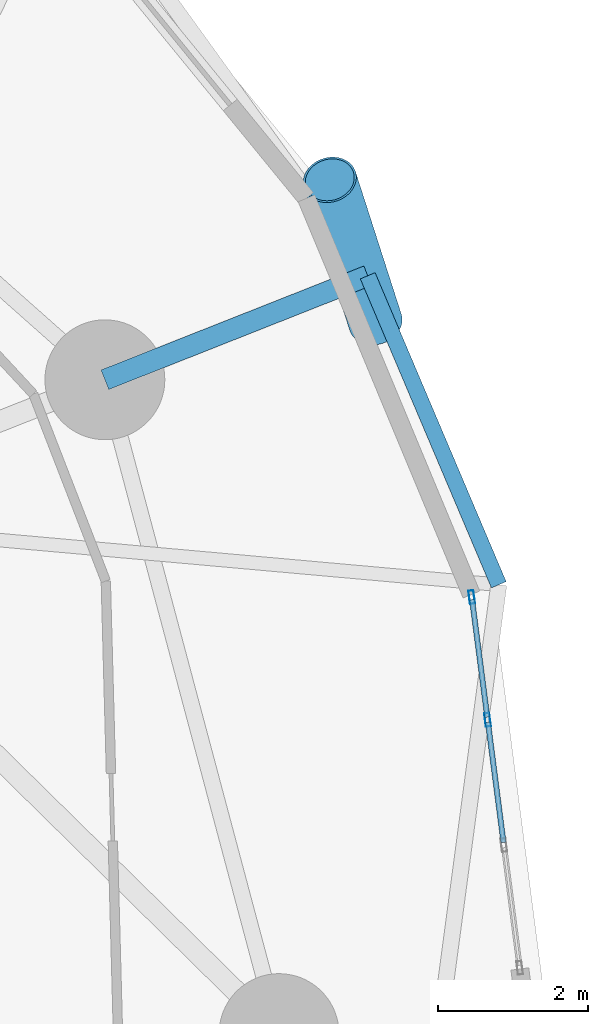
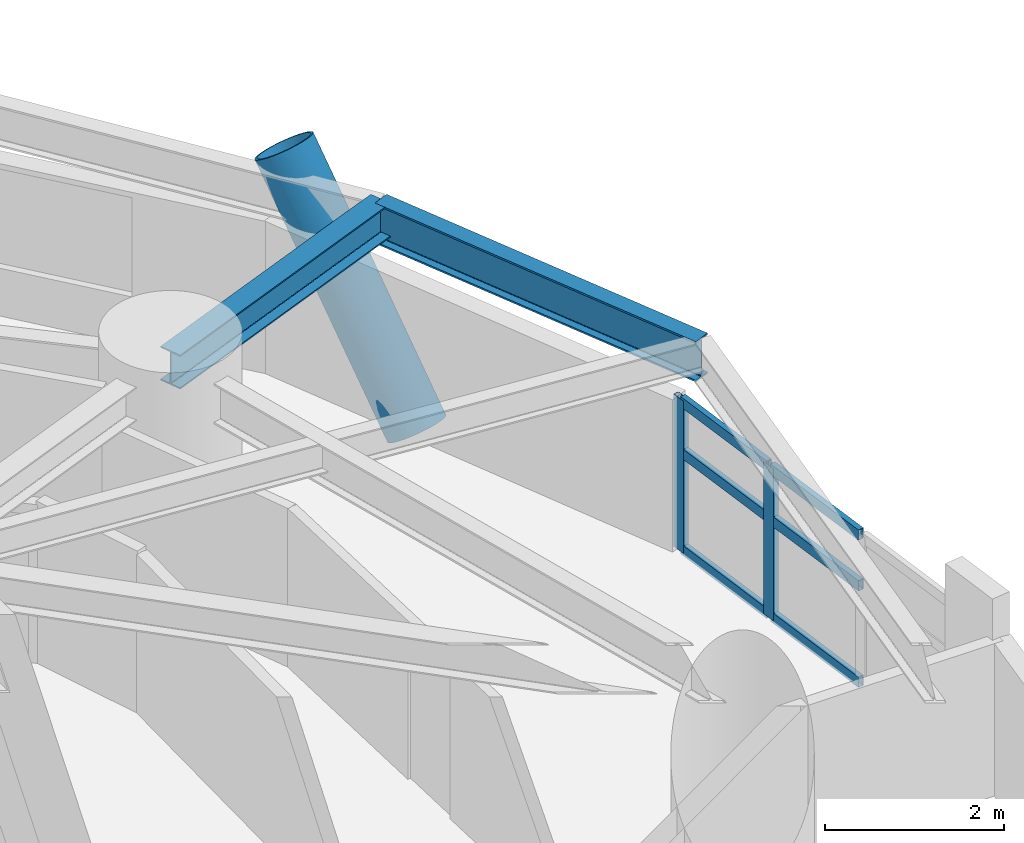
# One storey, part 4 of 18: 9 members, 2 beams, 1 element without a shape of its own.
"""IFC4 building model written with IfcOpenShell, lengths in metres."""

from ifc_helpers import new_model, si_unit, direction, frame, origin, origin_2d, place, context, subcontext, project, spatial, hollow_rectangle, hollow_circle, i_section, extrude, material, layer, layer_set, material_profile, profile_set, type_object, element, aggregate, save


model = new_model("IFC4")

# Units and contexts
model_context = context("Model", 3, precision=1e-05, world=origin(), true_north=direction((0.0, 1.0)))
body_context = subcontext(model_context, "Body", "Model", "MODEL_VIEW")
ifc_project = project(units=[si_unit("LENGTHUNIT", "METRE"), si_unit("AREAUNIT", "SQUARE_METRE"), si_unit("VOLUMEUNIT", "CUBIC_METRE"), si_unit("PLANEANGLEUNIT", "RADIAN"), si_unit("MASSUNIT", "GRAM", prefix="KILO")], contexts=[model_context])

# Site, building, storey
site_placement = place(None, origin())
site = spatial("IfcSite", under=ifc_project, at=site_placement, CompositionType="ELEMENT")
building_placement = place(site_placement, origin())
building = spatial("IfcBuilding", under=site, at=building_placement, Name="Cununo Teusaquillo Station Towers", CompositionType="ELEMENT")
storey_placement = place(building_placement, frame((0.0, 0.0, 45.280029296875)))
storey = spatial("IfcBuildingStorey", under=building, at=storey_placement, Name="L13", CompositionType="ELEMENT", Elevation=45.280029296875)

# Beams
ifc_material_1 = material(Name="Steel ASTM A572 Grade 50", Category="steel")
ifc_material_profile_1 = material_profile(ifc_material_1, i_section(OverallWidth=0.280029296875, OverallDepth=0.462890625, WebThickness=0.0107421875, FlangeThickness=0.017333984375, FilletRadius=0.013916015625, at=origin_2d()), Name="W18X76")
ifc_profile_set_1 = profile_set([ifc_material_profile_1], Name="Steel ASTM A572 Grade 50")
beam_type_1 = type_object("IfcBeamType", Name="BM-RAD-G1", PredefinedType="BEAM", material=ifc_profile_set_1)
beam_1_placement = place(storey_placement, frame((26.347412109375, 33.228515625, 2.41845703125), z_axis=(0.929871177563, 0.367885298888, 0.0), x_axis=(-0.367885298888, 0.929871177563, 0.0)))
element("IfcBeam", 1, at=beam_1_placement, inside=storey, type_object=beam_type_1, Name="L13 Tower A Perimeter Overhang Girder 02B", PredefinedType="BEAM", context=body_context, shape_type="SweptSolid", body=[
    extrude(i_section(OverallWidth=0.280029296875, OverallDepth=0.462890625, WebThickness=0.0107421875, FlangeThickness=0.017333984375, FilletRadius=0.013916015625, at=origin_2d()), origin(), (0.0, 0.0, 1.0), 3.7734375),
])
ifc_material_2 = material(Name="Steel ASTM A572 Grade 50", Category="steel")
ifc_material_profile_2 = material_profile(ifc_material_2, i_section(OverallWidth=0.214111328125, OverallDepth=0.549072265625, WebThickness=0.0146484375, FlangeThickness=0.023681640625, FilletRadius=0.014892578125, at=origin_2d()), Name="W21X93")
ifc_profile_set_2 = profile_set([ifc_material_profile_2], Name="Steel ASTM A572 Grade 50")
beam_type_2 = type_object("IfcBeamType", Name="BM-RING-Z1", PredefinedType="SPANDREL", material=ifc_profile_set_2)
beam_2_placement = place(storey_placement, frame((31.605712890625, 30.49169921875, 2.37548828125), z_axis=(-0.390457491743, 0.920620957366, 0.0), x_axis=(-0.920620957366, -0.390457491743, 0.0)))
element("IfcBeam", 2, at=beam_2_placement, inside=storey, type_object=beam_type_2, Name="L13 Tower A Spandrel Ring Beam 02", PredefinedType="SPANDREL", context=body_context, shape_type="SweptSolid", body=[
    extrude(i_section(OverallWidth=0.214111328125, OverallDepth=0.549072265625, WebThickness=0.0146484375, FlangeThickness=0.023681640625, FilletRadius=0.014892578125, at=origin_2d()), origin(), (0.0, 0.0, 1.0), 4.480712890625),
])

# Curtain wall, members
ifc_material_3 = material(Name="Operable acoustic tinted low-E double glazing", Category="glass")
ifc_layer = layer(ifc_material_3, 0.179931640625)
ifc_layer_set = layer_set([ifc_layer], Name="Operable acoustic tinted low-E double glazing")
curtain_wall_type = type_object("IfcCurtainWallType", Name="CW-SYS-03", PredefinedType="USERDEFINED", material=ifc_layer_set)
curtain_wall_placement = place(storey_placement, origin())
curtain_wall = element("IfcCurtainWall", 3, at=curtain_wall_placement, inside=storey, type_object=curtain_wall_type, Name="L13 Tower A Facade Curtain Wall C00", ObjectType="OPERABLE GLAZING", PredefinedType="USERDEFINED")
ifc_material_4 = material(Name="Anodised dark bronze aluminium EN AW-6063-T6", Category="aluminium")
ifc_material_profile_3 = material_profile(ifc_material_4, hollow_rectangle(XDim=0.070068359375, YDim=0.179931640625, WallThickness=0.00390625, at=origin_2d()), Name="CW-MULL-70x180")
ifc_profile_set_3 = profile_set([ifc_material_profile_3], Name="Anodised dark bronze aluminium EN AW-6063-T6")
member_type_1 = type_object("IfcMemberType", Name="CWM-180", PredefinedType="MULLION", material=ifc_profile_set_3)
member_1_placement = place(storey_placement, frame((31.244873046875, 30.327392578125, 0.0), z_axis=(0.0, 0.0, 1.0), x_axis=(0.991730798481, 0.128335588771, 0.0)))
member_1 = element("IfcMember", 4, at=member_1_placement, type_object=member_type_1, Name="CW-03 mullion 1", PredefinedType="MULLION", context=body_context, shape_type="SweptSolid", body=[
    extrude(hollow_rectangle(XDim=0.070068359375, YDim=0.179931640625, WallThickness=0.00390625, at=origin_2d()), origin(), (0.0, 0.0, 1.0), 2.072998046875),
])
member_2_placement = place(storey_placement, frame((31.456787109375, 28.68896484375, 0.0), z_axis=(0.0, 0.0, 1.0), x_axis=(0.991730798481, 0.128335588771, 0.0)))
member_2 = element("IfcMember", 5, at=member_2_placement, type_object=member_type_1, Name="CW-03 mullion 2", PredefinedType="MULLION", context=body_context, shape_type="SweptSolid", body=[
    extrude(hollow_rectangle(XDim=0.070068359375, YDim=0.179931640625, WallThickness=0.00390625, at=origin_2d()), origin(), (0.0, 0.0, 1.0), 2.072998046875),
])
ifc_material_5 = material(Name="Anodised dark bronze aluminium EN AW-6063-T6", Category="aluminium")
ifc_material_profile_4 = material_profile(ifc_material_5, hollow_rectangle(XDim=0.070068359375, YDim=0.139892578125, WallThickness=0.00390625, at=origin_2d()), Name="CW-TRAN-70x140")
ifc_profile_set_4 = profile_set([ifc_material_profile_4], Name="Anodised dark bronze aluminium EN AW-6063-T6")
member_type_2 = type_object("IfcMemberType", Name="CWT-140", PredefinedType="USERDEFINED", material=ifc_profile_set_4)
member_3_placement = place(storey_placement, frame((31.249267578125, 30.292724609375, 0.034912109375), z_axis=(0.128402247984, -0.991722170123, 0.0), x_axis=(0.991722170123, 0.128402247984, 0.0)))
member_3 = element("IfcMember", 6, at=member_3_placement, type_object=member_type_2, Name="CW-03 transom 1.1", ObjectType="TRANSOM", PredefinedType="USERDEFINED", context=body_context, shape_type="SweptSolid", body=[
    extrude(hollow_rectangle(XDim=0.070068359375, YDim=0.139892578125, WallThickness=0.00390625, at=origin_2d()), origin(), (0.0, 0.0, 1.0), 1.58203125),
])
member_4_placement = place(storey_placement, frame((31.249267578125, 30.292724609375, 1.346923828125), z_axis=(0.128402247984, -0.991722170123, 0.0), x_axis=(0.991722170123, 0.128402247984, 0.0)))
member_4 = element("IfcMember", 7, at=member_4_placement, type_object=member_type_2, Name="CW-03 transom 1.2", ObjectType="TRANSOM", PredefinedType="USERDEFINED", context=body_context, shape_type="SweptSolid", body=[
    extrude(hollow_rectangle(XDim=0.070068359375, YDim=0.139892578125, WallThickness=0.00390625, at=origin_2d()), origin(), (0.0, 0.0, 1.0), 1.58203125),
])
member_5_placement = place(storey_placement, frame((31.249267578125, 30.292724609375, 2.0380859375), z_axis=(0.128402247984, -0.991722170123, 0.0), x_axis=(0.991722170123, 0.128402247984, 0.0)))
member_5 = element("IfcMember", 8, at=member_5_placement, type_object=member_type_2, Name="CW-03 transom 1.3", ObjectType="TRANSOM", PredefinedType="USERDEFINED", context=body_context, shape_type="SweptSolid", body=[
    extrude(hollow_rectangle(XDim=0.070068359375, YDim=0.139892578125, WallThickness=0.00390625, at=origin_2d()), origin(), (0.0, 0.0, 1.0), 1.58203125),
])
member_6_placement = place(storey_placement, frame((31.46142578125, 28.654296875, 0.034912109375), z_axis=(0.128345027476, -0.991729577013, 0.0), x_axis=(0.991729577013, 0.128345027476, 0.0)))
member_6 = element("IfcMember", 9, at=member_6_placement, type_object=member_type_2, Name="CW-03 transom 2.1", ObjectType="TRANSOM", PredefinedType="USERDEFINED", context=body_context, shape_type="SweptSolid", body=[
    extrude(hollow_rectangle(XDim=0.070068359375, YDim=0.139892578125, WallThickness=0.00390625, at=origin_2d()), origin(), (0.0, 0.0, 1.0), 1.616943359375),
])
member_7_placement = place(storey_placement, frame((31.46142578125, 28.654296875, 1.346923828125), z_axis=(0.128345027476, -0.991729577013, 0.0), x_axis=(0.991729577013, 0.128345027476, 0.0)))
member_7 = element("IfcMember", 10, at=member_7_placement, type_object=member_type_2, Name="CW-03 transom 2.2", ObjectType="TRANSOM", PredefinedType="USERDEFINED", context=body_context, shape_type="SweptSolid", body=[
    extrude(hollow_rectangle(XDim=0.070068359375, YDim=0.139892578125, WallThickness=0.00390625, at=origin_2d()), origin(), (0.0, 0.0, 1.0), 1.616943359375),
])
member_8_placement = place(storey_placement, frame((31.46142578125, 28.654296875, 2.0380859375), z_axis=(0.128345027476, -0.991729577013, 0.0), x_axis=(0.991729577013, 0.128345027476, 0.0)))
member_8 = element("IfcMember", 11, at=member_8_placement, type_object=member_type_2, Name="CW-03 transom 2.3", ObjectType="TRANSOM", PredefinedType="USERDEFINED", context=body_context, shape_type="SweptSolid", body=[
    extrude(hollow_rectangle(XDim=0.070068359375, YDim=0.139892578125, WallThickness=0.00390625, at=origin_2d()), origin(), (0.0, 0.0, 1.0), 1.616943359375),
])
aggregate(curtain_wall, [member_1, member_2, member_3, member_4, member_5, member_6, member_7, member_8])

# Member
ifc_material_6 = material(Name="Steel EN 10025-2 S355J2", Category="steel")
ifc_material_profile_5 = material_profile(ifc_material_6, hollow_circle(Radius=0.360107421875, WallThickness=0.028076171875, at=origin_2d()), Name="CHS 720x28")
ifc_profile_set_5 = profile_set([ifc_material_profile_5], Name="Steel EN 10025-2 S355J2")
member_type_3 = type_object("IfcMemberType", Name="MBR-DIAG-Z1", PredefinedType="BRACE", material=ifc_profile_set_5)
member_9_placement = place(storey_placement, frame((29.961181640625, 33.996337890625, -0.14013671875), z_axis=(-0.173281429054, 0.538590501641, 0.824556740247), x_axis=(-0.951944566386, -0.306270374878, 0.0)))
element("IfcMember", 12, at=member_9_placement, inside=storey, type_object=member_type_3, Name="L13 Tower A Folded-Zigzag Diagrid Tube C01", PredefinedType="BRACE", context=body_context, shape_type="SweptSolid", body=[
    extrude(hollow_circle(Radius=0.360107421875, WallThickness=0.028076171875, at=origin_2d()), origin(), (0.0, 0.0, 1.0), 3.529296875),
])

save(model, "model.ifc")
